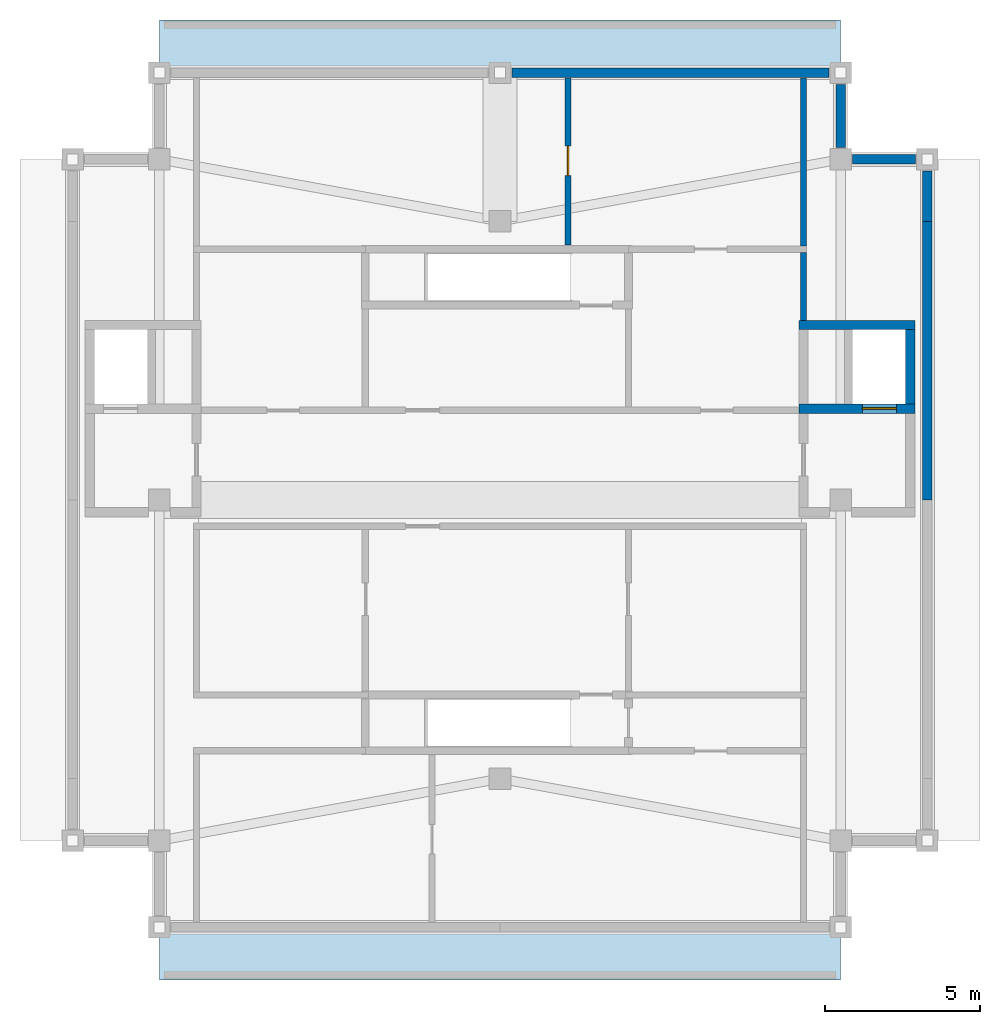
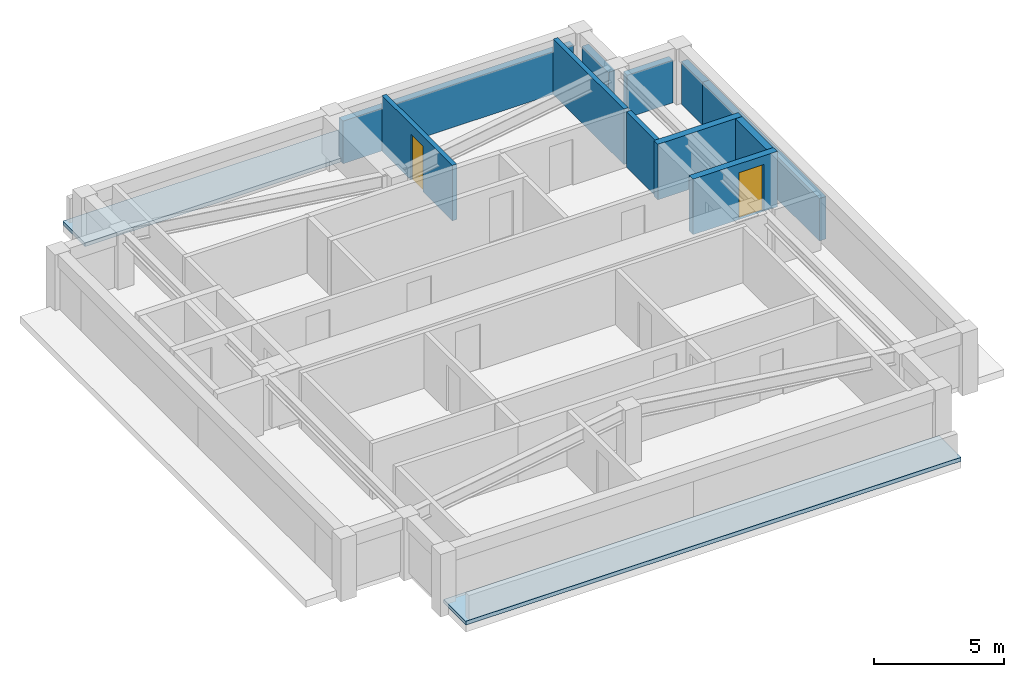
# One storey, part 3 of 4: 11 walls, 2 doors, 2 roofs, 2 openings.
"""IFC4 building model written with IfcOpenShell, lengths in metres."""

from ifc_helpers import new_model, si_unit, direction, frame, frame_2d, origin, place, context, subcontext, project, spatial, polyline, rectangle, outline, extrude, material, layer, layer_set, type_object, element, fill, save


model = new_model("IFC4")

# Units and contexts
model_context = context("Model", 3, precision=1e-05, world=origin(), true_north=direction((0.0, 1.0)))
body_context = subcontext(model_context, "Body", "Model", "MODEL_VIEW")
ifc_project = project(units=[si_unit("LENGTHUNIT", "METRE"), si_unit("AREAUNIT", "SQUARE_METRE"), si_unit("VOLUMEUNIT", "CUBIC_METRE"), si_unit("PLANEANGLEUNIT", "RADIAN"), si_unit("MASSUNIT", "GRAM", prefix="KILO")], contexts=[model_context])

# Site, building, storey
site_placement = place(None, origin())
site = spatial("IfcSite", under=ifc_project, at=site_placement, CompositionType="ELEMENT")
building_placement = place(site_placement, origin())
building = spatial("IfcBuilding", under=site, at=building_placement, Name="Zulmaris Gate Convention Tower", CompositionType="ELEMENT")
storey_placement = place(building_placement, frame((0.0, 0.0, 294.0400390625)))
storey = spatial("IfcBuildingStorey", under=building, at=storey_placement, Name="L79", CompositionType="ELEMENT", Elevation=294.0400390625)

# Wall, opening, door
ifc_material_1 = material(Name="Concrete C50/60", Category="concrete")
ifc_layer_1 = layer(ifc_material_1, 0.300048828125, Name="Concrete C50/60")
ifc_layer_set_1 = layer_set([ifc_layer_1], Name="Concrete C50/60")
wall_type_1 = type_object("IfcWallType", Name="CORE-300", PredefinedType="SHEAR", material=ifc_layer_set_1)
wall_1_placement = place(storey_placement, frame((9.64990234375, 2.949951171875, 0.0), z_axis=(0.0, 0.0, 1.0), x_axis=(1.0, 0.0, 0.0)))
wall_1 = element("IfcWall", 1, at=wall_1_placement, inside=storey, type_object=wall_type_1, Name="WL-L79-006", PredefinedType="SHEAR", context=body_context, shape_type="SweptSolid", body=[
    extrude(rectangle(XDim=3.75, YDim=0.300048828125, at=frame_2d((1.875, 0.0))), origin(), (0.0, 0.0, 1.0), 2.610107421875),
])
opening_1_placement = place(wall_1_placement, frame((2.050048828125, 0.0, 0.0)))
opening_1 = element("IfcOpeningElement", 2, at=opening_1_placement, cuts=wall_1, Name="Opening D-06", PredefinedType="OPENING", context=body_context, shape_type="SweptSolid", body=[
    extrude(rectangle(XDim=1.10009765625, YDim=2.199951171875, at=frame_2d((0.550048828125, 1.10009765625))), frame((0.0, 0.16015625, 0.0), z_axis=(0.0, -1.0, 0.0), x_axis=(1.0, 0.0, 0.0)), (0.0, 0.0, 1.0), 0.320068359375),
])
ifc_material_2 = material(Name="Brushed Stainless Steel", Category="steel")
door_type_1 = type_object("IfcDoorType", Name="LD-1100", OperationType="NOTDEFINED", PredefinedType="DOOR", material=ifc_material_2)
door_1_placement = place(opening_1_placement, origin())
door_1 = element("IfcDoor", 3, at=door_1_placement, inside=storey, type_object=door_type_1, Name="L79 Lift Landing Door LF-02 03", OperationType="SLIDING_TO_RIGHT", OverallHeight=2.199951171875, OverallWidth=1.10009765625, PredefinedType="DOOR", context=body_context, shape_type="SweptSolid", body=[
    extrude(rectangle(XDim=1.10009765625, YDim=2.199951171875, at=frame_2d((0.550048828125, 1.10009765625))), frame((0.0, 0.02490234375, 0.0), z_axis=(0.0, -1.0, 0.0), x_axis=(1.0, 0.0, 0.0)), (0.0, 0.0, 1.0), 0.050048828125),
])
fill(opening_1, door_1)

# Walls
wall_2_placement = place(storey_placement, frame((9.64990234375, 5.64990234375, 0.0), z_axis=(0.0, 0.0, 1.0), x_axis=(1.0, 0.0, 0.0)))
element("IfcWall", 4, at=wall_2_placement, inside=storey, type_object=wall_type_1, Name="WL-L79-008", PredefinedType="SHEAR", context=body_context, shape_type="SweptSolid", body=[
    extrude(rectangle(XDim=3.75, YDim=0.300048828125, at=frame_2d((1.875, 0.0))), origin(), (0.0, 0.0, 1.0), 2.610107421875),
])
wall_3_placement = place(storey_placement, frame((13.25, 3.10205078125, 0.0), z_axis=(0.0, 0.0, 1.0), x_axis=(0.0, 1.0, 0.0)))
element("IfcWall", 5, at=wall_3_placement, inside=storey, type_object=wall_type_1, Name="WL-L79-032", PredefinedType="SHEAR", context=body_context, shape_type="SweptSolid", body=[
    extrude(rectangle(XDim=2.39599609375, YDim=0.300048828125, at=frame_2d((1.197998046875, 0.0))), origin(), (0.0, 0.0, 1.0), 2.610107421875),
])

# Wall, opening, door
ifc_material_3 = material(Name="Autoclaved Aerated Concrete Block and Plasterboard", Category="concrete")
ifc_layer_2 = layer(ifc_material_3, 0.199951171875, Name="Autoclaved Aerated Concrete Block and Plasterboard")
ifc_layer_set_2 = layer_set([ifc_layer_2], Name="Autoclaved Aerated Concrete Block and Plasterboard")
wall_type_2 = type_object("IfcWallType", Name="PART-200", PredefinedType="PARTITIONING", material=ifc_layer_set_2)
wall_4_placement = place(storey_placement, frame((2.199951171875, 8.22802734375, 0.0), z_axis=(0.0, 0.0, 1.0), x_axis=(0.0, 1.0, 0.0)))
wall_4 = element("IfcWall", 6, at=wall_4_placement, inside=storey, type_object=wall_type_2, Name="WL-L79-040", PredefinedType="PARTITIONING", context=body_context, shape_type="SweptSolid", body=[
    extrude(rectangle(XDim=5.406982421875, YDim=0.199951171875, at=frame_2d((2.70361328125, 0.0))), origin(), (0.0, 0.0, 1.0), 2.610107421875),
])
opening_2_placement = place(wall_4_placement, frame((2.2470703125, 0.0, 0.0)))
opening_2 = element("IfcOpeningElement", 7, at=opening_2_placement, cuts=wall_4, Name="Opening D-11", PredefinedType="OPENING", context=body_context, shape_type="SweptSolid", body=[
    extrude(rectangle(XDim=0.949951171875, YDim=2.14990234375, at=frame_2d((0.47509765625, 1.074951171875))), frame((0.0, 0.10986328125, 0.0), z_axis=(0.0, -1.0, 0.0), x_axis=(1.0, 0.0, 0.0)), (0.0, 0.0, 1.0), 0.219970703125),
])
ifc_material_4 = material(Name="Fire-Rated Timber", Category="wood")
door_type_2 = type_object("IfcDoorType", Name="DR-950-FD", OperationType="NOTDEFINED", PredefinedType="DOOR", material=ifc_material_4)
door_2_placement = place(opening_2_placement, origin())
door_2 = element("IfcDoor", 8, at=door_2_placement, inside=storey, type_object=door_type_2, Name="L79 West Water Tank Door 13", OperationType="SINGLE_SWING_LEFT", OverallHeight=2.14990234375, OverallWidth=0.949951171875, PredefinedType="DOOR", context=body_context, shape_type="SweptSolid", body=[
    extrude(rectangle(XDim=0.949951171875, YDim=2.14990234375, at=frame_2d((0.47509765625, 1.074951171875))), frame((0.0, 0.02490234375, 0.0), z_axis=(0.0, -1.0, 0.0), x_axis=(1.0, 0.0, 0.0)), (0.0, 0.0, 1.0), 0.050048828125),
])
fill(opening_2, door_2)

# Walls
wall_5_placement = place(storey_placement, frame((9.800048828125, 5.802978515625, 0.0), z_axis=(0.0, 0.0, 1.0), x_axis=(0.0, 1.0, 0.0)))
element("IfcWall", 9, at=wall_5_placement, inside=storey, type_object=wall_type_2, Name="WL-L79-046", PredefinedType="PARTITIONING", context=body_context, shape_type="SweptSolid", body=[
    extrude(rectangle(XDim=2.194091796875, YDim=0.199951171875, at=frame_2d((1.09716796875, 0.0))), origin(), (0.0, 0.0, 1.0), 2.610107421875),
])
wall_6_placement = place(storey_placement, frame((9.800048828125, 8.202880859375, 0.0), z_axis=(0.0, 0.0, 1.0), x_axis=(0.0, 1.0, 0.0)))
element("IfcWall", 10, at=wall_6_placement, inside=storey, type_object=wall_type_2, Name="WL-L79-047", PredefinedType="PARTITIONING", context=body_context, shape_type="SweptSolid", body=[
    extrude(rectangle(XDim=5.43212890625, YDim=0.199951171875, at=frame_2d((2.716064453125, 0.0))), origin(), (0.0, 0.0, 1.0), 2.610107421875),
])
ifc_material_5 = material(Name="Precast concrete C40/50", Category="concrete")
ifc_layer_3 = layer(ifc_material_5, 0.300048828125, Name="Precast concrete C40/50")
ifc_layer_set_3 = layer_set([ifc_layer_3], Name="Precast concrete C40/50")
wall_type_3 = type_object("IfcWallType", Name="PRECAST-CROWN-300", PredefinedType="STANDARD", material=ifc_layer_set_3)
wall_7_placement = place(storey_placement, frame((10.6201171875, 13.800048828125, 0.0), z_axis=(0.0, 0.0, 1.0), x_axis=(-1.0, 0.0, 0.0)))
element("IfcWall", 11, at=wall_7_placement, inside=storey, type_object=wall_type_3, Name="EW-L79-CR-N1_0", PredefinedType="STANDARD", context=body_context, shape_type="SweptSolid", body=[
    extrude(rectangle(XDim=10.240234375, YDim=0.300048828125, at=frame_2d((5.1201171875, 0.0))), origin(), (0.0, 0.0, 1.0), 2.001953125),
])
wall_8_placement = place(storey_placement, frame((13.800048828125, 0.0, 0.0), z_axis=(0.0, 0.0, 1.0), x_axis=(0.0, 1.0, 0.0)))
element("IfcWall", 12, at=wall_8_placement, inside=storey, type_object=wall_type_3, Name="EW-L79-CR-E2_0", PredefinedType="STANDARD", context=body_context, shape_type="SweptSolid", body=[
    extrude(rectangle(XDim=9.0, YDim=0.300048828125, at=frame_2d((4.5, 0.0))), origin(), (0.0, 0.0, 1.0), 2.001953125),
])
wall_9_placement = place(storey_placement, frame((13.800048828125, 9.0, 0.0), z_axis=(0.0, 0.0, 1.0), x_axis=(0.0, 1.0, 0.0)))
element("IfcWall", 13, at=wall_9_placement, inside=storey, type_object=wall_type_3, Name="EW-L79-CR-E3_0", PredefinedType="STANDARD", context=body_context, shape_type="SweptSolid", body=[
    extrude(rectangle(XDim=1.6201171875, YDim=0.300048828125, at=frame_2d((0.81005859375, 0.0))), origin(), (0.0, 0.0, 1.0), 2.001953125),
])
for number, where, z_axis, x_axis, name in (
    (14, (13.419921875, 11.0, 0.0), (0.0, 0.0, 1.0), (-1.0, 0.0, 0.0), "EW-L79-CR-NE1_0"),
    (15, (11.0, 11.3798828125, 0.0), (0.0, 0.0, 1.0), (0.0, 1.0, 0.0), "EW-L79-CR-NE2_0"),
):
    element("IfcWall", number, at=place(storey_placement, frame(where, z_axis=z_axis, x_axis=x_axis)), inside=storey, type_object=wall_type_3, Name=name, PredefinedType="STANDARD", context=body_context, shape_type="SweptSolid", body=[
        extrude(rectangle(XDim=2.0400390625, YDim=0.300048828125, at=frame_2d((1.02001953125, 0.0))), origin(), (0.0, 0.0, 1.0), 2.001953125),
    ])

# Roofs
ifc_material_6 = material(Name="Concrete C40/50", Category="concrete")
ifc_layer_4 = layer(ifc_material_6, 0.219970703125, Name="Concrete C40/50")
ifc_layer_set_4 = layer_set([ifc_layer_4], Name="Concrete C40/50")
slab_type = type_object("IfcSlabType", Name="RF-MEMBRANE-220", PredefinedType="ROOF", material=ifc_layer_set_4)
roof_1_placement = place(storey_placement, origin())
element("IfcRoof", 16, at=roof_1_placement, inside=storey, type_object=slab_type, Name="RF-L79-CROWN-STEP-N", PredefinedType="FLAT_ROOF", context=body_context, shape_type="SweptSolid", body=[
    extrude(outline(polyline([(-11.0, 13.800048828125), (11.0, 13.800048828125), (11.0, 15.5), (-11.0, 15.5), (-11.0, 13.800048828125)])), origin(), (0.0, 0.0, 1.0), 0.179931640625),
])
roof_2_placement = place(storey_placement, origin())
element("IfcRoof", 17, at=roof_2_placement, inside=storey, type_object=slab_type, Name="RF-L79-CROWN-STEP-S", PredefinedType="FLAT_ROOF", context=body_context, shape_type="SweptSolid", body=[
    extrude(outline(polyline([(-11.0, -15.5), (11.0, -15.5), (11.0, -13.800048828125), (-11.0, -13.800048828125), (-11.0, -15.5)])), origin(), (0.0, 0.0, 1.0), 0.179931640625),
])

save(model, "model.ifc")
